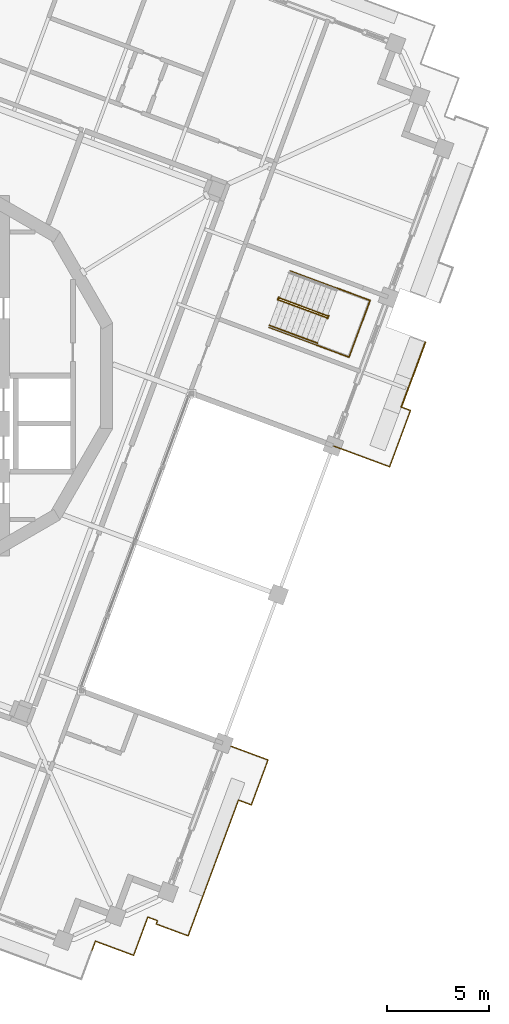
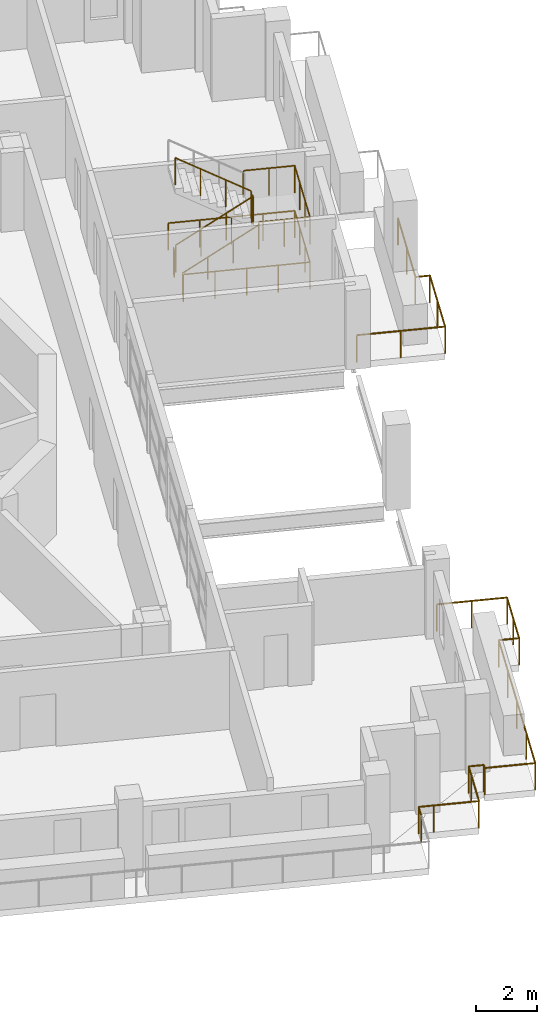
# One storey, part 14 of 19: 9 railings.
"""IFC4 building model written with IfcOpenShell, lengths in metres."""

from ifc_helpers import new_model, si_unit, direction, frame, origin, origin_2d, place, context, subcontext, project, spatial, circle, extrude, material, type_object, element, save


model = new_model("IFC4")

# Units and contexts
model_context = context("Model", 3, precision=1e-05, world=origin(), true_north=direction((0.0, 1.0)))
body_context = subcontext(model_context, "Body", "Model", "MODEL_VIEW")
ifc_project = project(units=[si_unit("LENGTHUNIT", "METRE"), si_unit("AREAUNIT", "SQUARE_METRE"), si_unit("VOLUMEUNIT", "CUBIC_METRE"), si_unit("PLANEANGLEUNIT", "RADIAN"), si_unit("MASSUNIT", "GRAM", prefix="KILO")], contexts=[model_context])

# Site, building, storey
site_placement = place(None, origin())
site = spatial("IfcSite", under=ifc_project, at=site_placement, CompositionType="ELEMENT")
building_placement = place(site_placement, origin())
building = spatial("IfcBuilding", under=site, at=building_placement, Name="Cantera Rosa Tower", CompositionType="ELEMENT")
storey_placement = place(building_placement, frame((0.0, 0.0, 342.10009765625)))
storey = spatial("IfcBuildingStorey", under=building, at=storey_placement, Name="L77", CompositionType="ELEMENT", Elevation=342.10009765625)

# Railings
ifc_material_1 = material(Name="Stainless steel and laminated glass", Category="steel")
railing_type_1 = type_object("IfcRailingType", Name="GUARD 1100", PredefinedType="BALUSTRADE", material=ifc_material_1)
railing_1_placement = place(storey_placement, frame((15.092529296875, -18.038330078125, 0.0)))
element("IfcRailing", 1, at=railing_1_placement, inside=storey, type_object=railing_type_1, Name="GUARD L77-2", PredefinedType="BALUSTRADE", context=body_context, shape_type="SweptSolid", body=[
    extrude(circle(Radius=0.030029296875, at=origin_2d()), frame((0.0, 0.0, 1.070068359375), z_axis=(0.937656514063, -0.347563320324, 0.0), x_axis=(0.347563320324, 0.937656514063, 0.0)), (0.0, 0.0, 1.0), 2.331298828125),
    extrude(circle(Radius=0.030029296875, at=origin_2d()), frame((2.18603515625, -0.810302734375, 1.070068359375), z_axis=(-0.347422569468, -0.937708674496, 0.0), x_axis=(0.937708674496, -0.347422569468, 0.0)), (0.0, 0.0, 1.0), 2.351318359375),
    extrude(circle(Radius=0.030029296875, at=origin_2d()), frame((1.369140625, -3.01513671875, 1.070068359375), z_axis=(-0.937718232789, 0.347396770127, 0.0), x_axis=(-0.347396770127, -0.937718232789, 0.0)), (0.0, 0.0, 1.0), 0.67529296875),
    extrude(circle(Radius=0.030029296875, at=origin_2d()), frame((0.73583984375, -2.780517578125, 1.070068359375), z_axis=(-0.347486707816, -0.93768490864, 0.0), x_axis=(0.93768490864, -0.347486707816, 0.0)), (0.0, 0.0, 1.0), 7.1044921875),
    extrude(circle(Radius=0.030029296875, at=origin_2d()), frame((-1.73291015625, -9.4423828125, 1.070068359375), z_axis=(-0.937722403204, 0.347385512837, 0.0), x_axis=(-0.347385512837, -0.937722403204, 0.0)), (0.0, 0.0, 1.0), 1.67626953125),
    extrude(circle(Radius=0.030029296875, at=origin_2d()), frame((-3.3046875, -8.860107421875, 1.070068359375), z_axis=(0.347630091628, 0.937631761085, 0.0), x_axis=(-0.937631761085, 0.347630091628, 0.0)), (0.0, 0.0, 1.0), 0.17626953125),
    extrude(circle(Radius=0.030029296875, at=origin_2d()), frame((-3.243408203125, -8.69482421875, 1.070068359375), z_axis=(-0.937666302575, 0.34753691173, 0.0), x_axis=(-0.34753691173, -0.937666302575, 0.0)), (0.0, 0.0, 1.0), 0.500244140625),
    extrude(circle(Radius=0.030029296875, at=origin_2d()), frame((-3.71240234375, -8.52099609375, 1.070068359375), z_axis=(-0.347107644204, -0.937825294677, 0.0), x_axis=(0.937825294677, -0.347107644204, 0.0)), (0.0, 0.0, 1.0), 0.5),
    extrude(circle(Radius=0.030029296875, at=origin_2d()), frame((-3.885986328125, -8.989990234375, 1.070068359375), z_axis=(-0.347499887537, -0.937680024402, 0.0), x_axis=(0.937680024402, -0.347499887537, 0.0)), (0.0, 0.0, 1.0), 1.5),
    extrude(circle(Radius=0.030029296875, at=origin_2d()), frame((-4.4072265625, -10.396484375, 1.070068359375), z_axis=(-0.937680024402, 0.347499887537, 0.0), x_axis=(-0.347499887537, -0.937680024402, 0.0)), (0.0, 0.0, 1.0), 1.5),
    extrude(circle(Radius=0.030029296875, at=origin_2d()), frame((-5.813720703125, -9.875244140625, 1.070068359375), z_axis=(-0.937666302575, 0.34753691173, 0.0), x_axis=(-0.34753691173, -0.937666302575, 0.0)), (0.0, 0.0, 1.0), 0.500244140625),
    extrude(circle(Radius=0.030029296875, at=origin_2d()), frame((-6.28271484375, -9.701416015625, 1.070068359375), z_axis=(-0.347107644204, -0.937825294677, 0.0), x_axis=(0.937825294677, -0.347107644204, 0.0)), (0.0, 0.0, 1.0), 0.5),
    extrude(circle(Radius=0.02490234375, at=origin_2d()), origin(), (0.0, 0.0, 1.0), 1.0400390625),
    extrude(circle(Radius=0.02490234375, at=origin_2d()), frame((1.093017578125, -0.4052734375, 0.0)), (0.0, 0.0, 1.0), 1.0400390625),
    extrude(circle(Radius=0.02490234375, at=origin_2d()), frame((2.18603515625, -0.810302734375, 0.0)), (0.0, 0.0, 1.0), 1.0400390625),
    extrude(circle(Radius=0.02490234375, at=origin_2d()), frame((1.777587890625, -1.91259765625, 0.0)), (0.0, 0.0, 1.0), 1.0400390625),
    extrude(circle(Radius=0.02490234375, at=origin_2d()), frame((1.369140625, -3.01513671875, 0.0)), (0.0, 0.0, 1.0), 1.0400390625),
    extrude(circle(Radius=0.02490234375, at=origin_2d()), frame((0.73583984375, -2.780517578125, 0.0)), (0.0, 0.0, 1.0), 1.0400390625),
    extrude(circle(Radius=0.02490234375, at=origin_2d()), frame((0.11865234375, -4.446044921875, 0.0)), (0.0, 0.0, 1.0), 1.0400390625),
    extrude(circle(Radius=0.02490234375, at=origin_2d()), frame((-0.49853515625, -6.111328125, 0.0)), (0.0, 0.0, 1.0), 1.0400390625),
    extrude(circle(Radius=0.02490234375, at=origin_2d()), frame((-1.11572265625, -7.77685546875, 0.0)), (0.0, 0.0, 1.0), 1.0400390625),
    extrude(circle(Radius=0.02490234375, at=origin_2d()), frame((-1.73291015625, -9.4423828125, 0.0)), (0.0, 0.0, 1.0), 1.0400390625),
    extrude(circle(Radius=0.02490234375, at=origin_2d()), frame((-3.3046875, -8.860107421875, 0.0)), (0.0, 0.0, 1.0), 1.0400390625),
    extrude(circle(Radius=0.02490234375, at=origin_2d()), frame((-3.243408203125, -8.69482421875, 0.0)), (0.0, 0.0, 1.0), 1.0400390625),
    extrude(circle(Radius=0.02490234375, at=origin_2d()), frame((-3.71240234375, -8.52099609375, 0.0)), (0.0, 0.0, 1.0), 1.0400390625),
    extrude(circle(Radius=0.02490234375, at=origin_2d()), frame((-3.885986328125, -8.989990234375, 0.0)), (0.0, 0.0, 1.0), 1.0400390625),
    extrude(circle(Radius=0.02490234375, at=origin_2d()), frame((-4.4072265625, -10.396484375, 0.0)), (0.0, 0.0, 1.0), 1.0400390625),
    extrude(circle(Radius=0.02490234375, at=origin_2d()), frame((-5.813720703125, -9.875244140625, 0.0)), (0.0, 0.0, 1.0), 1.0400390625),
    extrude(circle(Radius=0.02490234375, at=origin_2d()), frame((-6.28271484375, -9.701416015625, 0.0)), (0.0, 0.0, 1.0), 1.0400390625),
    extrude(circle(Radius=0.02490234375, at=origin_2d()), frame((-6.456298828125, -10.17041015625, 0.0)), (0.0, 0.0, 1.0), 1.0400390625),
])
railing_2_placement = place(storey_placement, frame((23.819580078125, -1.53515625, 0.0)))
element("IfcRailing", 2, at=railing_2_placement, inside=storey, type_object=railing_type_1, Name="GUARD L77-7", PredefinedType="BALUSTRADE", context=body_context, shape_type="SweptSolid", body=[
    extrude(circle(Radius=0.030029296875, at=origin_2d()), frame((0.0, 0.0, 1.070068359375), z_axis=(0.937767212955, -0.347264530735, 0.0), x_axis=(0.347264530735, 0.937767212955, 0.0)), (0.0, 0.0, 1.0), 0.478759765625),
    extrude(circle(Radius=0.030029296875, at=origin_2d()), frame((0.448974609375, -0.166259765625, 1.070068359375), z_axis=(-0.347489710574, -0.937683795874, 0.0), x_axis=(0.937683795874, -0.347489710574, 0.0)), (0.0, 0.0, 1.0), 2.947265625),
    extrude(circle(Radius=0.030029296875, at=origin_2d()), frame((-0.5751953125, -2.929931640625, 1.070068359375), z_axis=(-0.937706502409, 0.347428431967, 0.0), x_axis=(-0.347428431967, -0.937706502409, 0.0)), (0.0, 0.0, 1.0), 2.927490234375),
    extrude(circle(Radius=0.02490234375, at=origin_2d()), origin(), (0.0, 0.0, 1.0), 1.0400390625),
    extrude(circle(Radius=0.02490234375, at=origin_2d()), frame((0.448974609375, -0.166259765625, 0.0)), (0.0, 0.0, 1.0), 1.0400390625),
    extrude(circle(Radius=0.02490234375, at=origin_2d()), frame((-0.06298828125, -1.548095703125, 0.0)), (0.0, 0.0, 1.0), 1.0400390625),
    extrude(circle(Radius=0.02490234375, at=origin_2d()), frame((-0.5751953125, -2.929931640625, 0.0)), (0.0, 0.0, 1.0), 1.0400390625),
    extrude(circle(Radius=0.02490234375, at=origin_2d()), frame((-1.94775390625, -2.42138671875, 0.0)), (0.0, 0.0, 1.0), 1.0400390625),
    extrude(circle(Radius=0.02490234375, at=origin_2d()), frame((-3.3203125, -1.912841796875, 0.0)), (0.0, 0.0, 1.0), 1.0400390625),
])
railing_3_placement = place(storey_placement, frame((25.001953125, 1.655517578125, 0.0)))
element("IfcRailing", 3, at=railing_3_placement, inside=storey, type_object=railing_type_1, Name="GUARD L77-8", PredefinedType="BALUSTRADE", context=body_context, shape_type="SweptSolid", body=[
    extrude(circle(Radius=0.030029296875, at=origin_2d()), frame((0.0, 0.0, 1.070068359375), z_axis=(-0.347480264473, -0.937687296385, 0.0), x_axis=(0.937687296385, -0.347480264473, 0.0)), (0.0, 0.0, 1.0), 3.402587890625),
    extrude(circle(Radius=0.02490234375, at=origin_2d()), origin(), (0.0, 0.0, 1.0), 1.0400390625),
    extrude(circle(Radius=0.02490234375, at=origin_2d()), frame((-0.59130859375, -1.59521484375, 0.0)), (0.0, 0.0, 1.0), 1.0400390625),
    extrude(circle(Radius=0.02490234375, at=origin_2d()), frame((-1.182373046875, -3.190673828125, 0.0)), (0.0, 0.0, 1.0), 1.0400390625),
])
ifc_material_2 = material(Name="Steel S355J2 (EN 10025-2)", Category="steel")
railing_type_2 = type_object("IfcRailingType", Name="STAIR GUARD 1100", PredefinedType="GUARDRAIL", material=ifc_material_2)
railing_4_placement = place(storey_placement, frame((17.802490234375, 3.721923828125, 0.179931640625)))
element("IfcRailing", 4, at=railing_4_placement, inside=storey, type_object=railing_type_2, Name="L77 ST-61 stair guard 1", PredefinedType="GUARDRAIL", context=body_context, shape_type="SweptSolid", body=[
    extrude(circle(Radius=0.02392578125, at=origin_2d()), frame((0.0, 0.0, 1.076171875), z_axis=(0.78878233546, -0.292319685639, 0.540713998944), x_axis=(0.347500508527, 0.937679794265, 0.0)), (0.0, 0.0, 1.0), 2.995849609375),
    extrude(circle(Radius=0.02392578125, at=origin_2d()), frame((2.363037109375, -0.875732421875, 2.69580078125), z_axis=(0.671593765389, -0.740919573429, 0.0), x_axis=(0.740919573429, 0.671593765389, 0.0)), (0.0, 0.0, 1.0), 0.056396484375),
    extrude(circle(Radius=0.02392578125, at=origin_2d()), frame((2.40087890625, -0.91748046875, 2.69580078125), z_axis=(0.348268249601, 0.937394914814, 0.0), x_axis=(-0.937394914814, 0.348268249601, 0.0)), (0.0, 0.0, 1.0), 0.14990234375),
    extrude(circle(Radius=0.02099609375, at=origin_2d()), origin(), (0.0, 0.0, 1.0), 1.052001953125),
    extrude(circle(Radius=0.02099609375, at=origin_2d()), frame((0.78759765625, -0.2919921875, 0.5400390625)), (0.0, 0.0, 1.0), 1.052001953125),
    extrude(circle(Radius=0.02099609375, at=origin_2d()), frame((1.575439453125, -0.583740234375, 1.079833984375)), (0.0, 0.0, 1.0), 1.052001953125),
    extrude(circle(Radius=0.02099609375, at=origin_2d()), frame((2.363037109375, -0.875732421875, 1.619873046875)), (0.0, 0.0, 1.0), 1.052001953125),
    extrude(circle(Radius=0.02099609375, at=origin_2d()), frame((2.40087890625, -0.91748046875, 1.619873046875)), (0.0, 0.0, 1.0), 1.052001953125),
    extrude(circle(Radius=0.02099609375, at=origin_2d()), frame((2.453125, -0.77685546875, 1.619873046875)), (0.0, 0.0, 1.0), 1.052001953125),
])
railing_5_placement = place(storey_placement, frame((20.19970703125, 2.93798828125, 1.97998046875)))
element("IfcRailing", 5, at=railing_5_placement, inside=storey, type_object=railing_type_2, Name="L77 ST-61 stair guard 2", PredefinedType="GUARDRAIL", context=body_context, shape_type="SweptSolid", body=[
    extrude(circle(Radius=0.02392578125, at=origin_2d()), frame((0.0, 0.0, 1.076171875), z_axis=(-0.78878233546, 0.292319685639, 0.540713998944), x_axis=(-0.347500508527, -0.937679794265, 0.0)), (0.0, 0.0, 1.0), 2.995849609375),
    extrude(circle(Radius=0.02099609375, at=origin_2d()), origin(), (0.0, 0.0, 1.0), 1.052001953125),
    extrude(circle(Radius=0.02099609375, at=origin_2d()), frame((-0.78759765625, 0.2919921875, 0.5400390625)), (0.0, 0.0, 1.0), 1.052001953125),
    extrude(circle(Radius=0.02099609375, at=origin_2d()), frame((-1.575439453125, 0.583740234375, 1.079833984375)), (0.0, 0.0, 1.0), 1.052001953125),
    extrude(circle(Radius=0.02099609375, at=origin_2d()), frame((-2.363037109375, 0.875732421875, 1.619873046875)), (0.0, 0.0, 1.0), 1.052001953125),
])
railing_6_placement = place(storey_placement, frame((17.74658203125, 3.71484375, 0.0)))
element("IfcRailing", 6, at=railing_6_placement, inside=storey, type_object=railing_type_2, Name="L77 ST-61 stair guard 3", PredefinedType="GUARDRAIL", context=body_context, shape_type="SweptSolid", body=[
    extrude(circle(Radius=0.02392578125, at=origin_2d()), frame((0.0, 0.0, 1.076171875), z_axis=(0.348268249601, 0.937394914814, 0.0), x_axis=(-0.937394914814, 0.348268249601, 0.0)), (0.0, 0.0, 1.0), 0.14990234375),
    extrude(circle(Radius=0.02099609375, at=origin_2d()), origin(), (0.0, 0.0, 1.0), 1.052001953125),
    extrude(circle(Radius=0.02099609375, at=origin_2d()), frame((0.05224609375, 0.140625, 0.0)), (0.0, 0.0, 1.0), 1.052001953125),
])
railing_7_placement = place(storey_placement, frame((17.31494140625, 2.37109375, 0.0)))
element("IfcRailing", 7, at=railing_7_placement, inside=storey, type_object=railing_type_2, Name="L77 ST-61 stair guard 4", PredefinedType="GUARDRAIL", context=body_context, shape_type="SweptSolid", body=[
    extrude(circle(Radius=0.02392578125, at=origin_2d()), frame((0.0, 0.0, 1.076171875), z_axis=(0.937682096729, -0.3474942956, 0.0), x_axis=(0.3474942956, 0.937682096729, 0.0)), (0.0, 0.0, 1.0), 4.197998046875),
    extrude(circle(Radius=0.02392578125, at=origin_2d()), frame((3.936279296875, -1.458740234375, 1.076171875), z_axis=(0.347472311651, 0.937690243436, 0.0), x_axis=(-0.937690243436, 0.347472311651, 0.0)), (0.0, 0.0, 1.0), 2.969970703125),
    extrude(circle(Radius=0.02392578125, at=origin_2d()), frame((4.96826171875, 1.326171875, 1.076171875), z_axis=(-0.937682096729, 0.3474942956, 0.0), x_axis=(-0.3474942956, -0.937682096729, 0.0)), (0.0, 0.0, 1.0), 4.197998046875),
    extrude(circle(Radius=0.02099609375, at=origin_2d()), origin(), (0.0, 0.0, 1.0), 1.052001953125),
    extrude(circle(Radius=0.02099609375, at=origin_2d()), frame((0.984130859375, -0.36474609375, 0.0)), (0.0, 0.0, 1.0), 1.052001953125),
    extrude(circle(Radius=0.02099609375, at=origin_2d()), frame((1.96826171875, -0.7294921875, 0.0)), (0.0, 0.0, 1.0), 1.052001953125),
    extrude(circle(Radius=0.02099609375, at=origin_2d()), frame((2.9521484375, -1.093994140625, 0.0)), (0.0, 0.0, 1.0), 1.052001953125),
    extrude(circle(Radius=0.02099609375, at=origin_2d()), frame((3.936279296875, -1.458740234375, 0.0)), (0.0, 0.0, 1.0), 1.052001953125),
    extrude(circle(Radius=0.02099609375, at=origin_2d()), frame((4.2802734375, -0.530517578125, 0.0)), (0.0, 0.0, 1.0), 1.052001953125),
    extrude(circle(Radius=0.02099609375, at=origin_2d()), frame((4.624267578125, 0.39794921875, 0.0)), (0.0, 0.0, 1.0), 1.052001953125),
    extrude(circle(Radius=0.02099609375, at=origin_2d()), frame((4.96826171875, 1.326171875, 0.0)), (0.0, 0.0, 1.0), 1.052001953125),
    extrude(circle(Radius=0.02099609375, at=origin_2d()), frame((3.984130859375, 1.69091796875, 0.0)), (0.0, 0.0, 1.0), 1.052001953125),
    extrude(circle(Radius=0.02099609375, at=origin_2d()), frame((3.0, 2.0556640625, 0.0)), (0.0, 0.0, 1.0), 1.052001953125),
    extrude(circle(Radius=0.02099609375, at=origin_2d()), frame((2.01611328125, 2.420166015625, 0.0)), (0.0, 0.0, 1.0), 1.052001953125),
    extrude(circle(Radius=0.02099609375, at=origin_2d()), frame((1.031982421875, 2.784912109375, 0.0)), (0.0, 0.0, 1.0), 1.052001953125),
])
railing_8_placement = place(storey_placement, frame((19.6552734375, 1.50390625, 1.7998046875)))
element("IfcRailing", 8, at=railing_8_placement, inside=storey, type_object=railing_type_2, Name="L77 ST-61 stair guard 5", PredefinedType="GUARDRAIL", context=body_context, shape_type="SweptSolid", body=[
    extrude(circle(Radius=0.02392578125, at=origin_2d()), frame((0.0, 0.0, 1.076171875), z_axis=(0.937660486946, -0.347552602091, 0.0), x_axis=(0.347552602091, 0.937660486946, 0.0)), (0.0, 0.0, 1.0), 1.7021484375),
    extrude(circle(Radius=0.02392578125, at=origin_2d()), frame((1.595947265625, -0.591552734375, 1.076171875), z_axis=(0.347472311651, 0.937690243436, 0.0), x_axis=(-0.937690243436, 0.347472311651, 0.0)), (0.0, 0.0, 1.0), 2.969970703125),
    extrude(circle(Radius=0.02392578125, at=origin_2d()), frame((2.6279296875, 2.193359375, 1.076171875), z_axis=(-0.937660486946, 0.347552602091, 0.0), x_axis=(-0.347552602091, -0.937660486946, 0.0)), (0.0, 0.0, 1.0), 1.7021484375),
    extrude(circle(Radius=0.02099609375, at=origin_2d()), origin(), (0.0, 0.0, 1.0), 1.052001953125),
    extrude(circle(Radius=0.02099609375, at=origin_2d()), frame((0.7978515625, -0.2958984375, 0.0)), (0.0, 0.0, 1.0), 1.052001953125),
    extrude(circle(Radius=0.02099609375, at=origin_2d()), frame((1.595947265625, -0.591552734375, 0.0)), (0.0, 0.0, 1.0), 1.052001953125),
    extrude(circle(Radius=0.02099609375, at=origin_2d()), frame((1.93994140625, 0.336669921875, 0.0)), (0.0, 0.0, 1.0), 1.052001953125),
    extrude(circle(Radius=0.02099609375, at=origin_2d()), frame((2.283935546875, 1.26513671875, 0.0)), (0.0, 0.0, 1.0), 1.052001953125),
    extrude(circle(Radius=0.02099609375, at=origin_2d()), frame((2.6279296875, 2.193359375, 0.0)), (0.0, 0.0, 1.0), 1.052001953125),
    extrude(circle(Radius=0.02099609375, at=origin_2d()), frame((1.830078125, 2.4892578125, 0.0)), (0.0, 0.0, 1.0), 1.052001953125),
    extrude(circle(Radius=0.02099609375, at=origin_2d()), frame((1.031982421875, 2.784912109375, 0.0)), (0.0, 0.0, 1.0), 1.052001953125),
])
ifc_material_3 = material(Name="Steel S355J2 (EN 10025-2)", Category="steel")
railing_type_3 = type_object("IfcRailingType", Name="STAIR HANDRAIL 900", PredefinedType="HANDRAIL", material=ifc_material_3)
railing_9_placement = place(storey_placement, frame((17.341796875, 2.478515625, 0.179931640625)))
element("IfcRailing", 9, at=railing_9_placement, inside=storey, type_object=railing_type_3, Name="L77 ST-61 stair handrail 1", PredefinedType="HANDRAIL", context=body_context, shape_type="SweptSolid", body=[
    extrude(circle(Radius=0.02392578125, at=origin_2d()), frame((0.0, 0.0, 0.8759765625), z_axis=(0.78878233546, -0.292319685639, 0.540713998944), x_axis=(0.347500508527, 0.937679794265, 0.0)), (0.0, 0.0, 1.0), 2.995849609375),
    extrude(circle(Radius=0.02099609375, at=origin_2d()), origin(), (0.0, 0.0, 1.0), 0.851806640625),
    extrude(circle(Radius=0.02099609375, at=origin_2d()), frame((0.78759765625, -0.2919921875, 0.5400390625)), (0.0, 0.0, 1.0), 0.851806640625),
    extrude(circle(Radius=0.02099609375, at=origin_2d()), frame((1.575439453125, -0.583740234375, 1.079833984375)), (0.0, 0.0, 1.0), 0.851806640625),
    extrude(circle(Radius=0.02099609375, at=origin_2d()), frame((2.363037109375, -0.875732421875, 1.619873046875)), (0.0, 0.0, 1.0), 0.851806640625),
])

save(model, "model.ifc")
